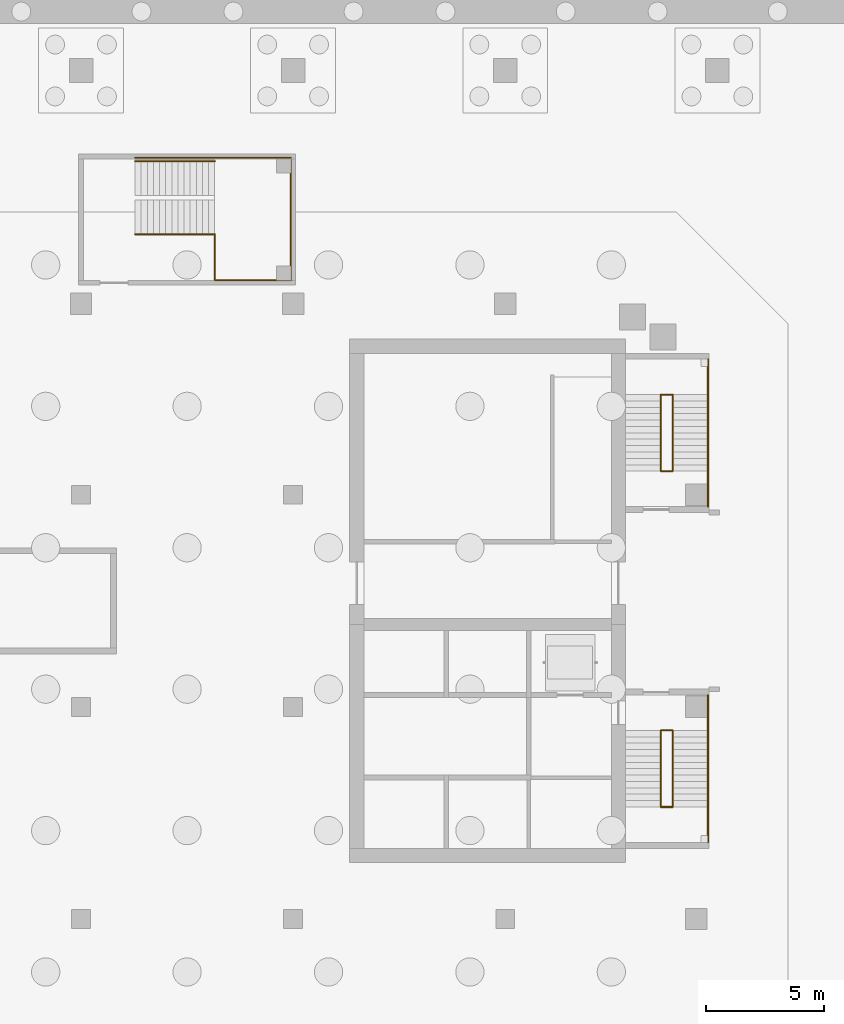
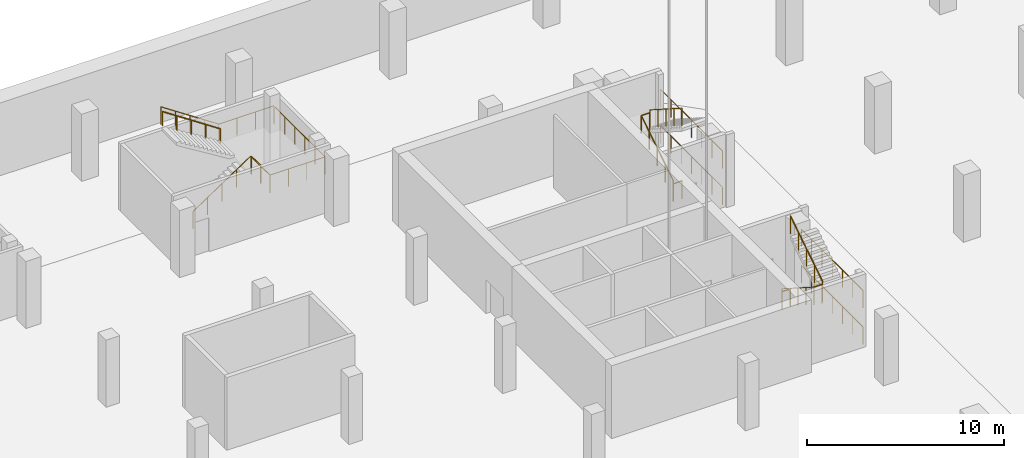
# One storey, part 26 of 30: 17 railings.
"""IFC4 building model written with IfcOpenShell, lengths in metres."""

from ifc_helpers import new_model, si_unit, direction, frame, origin, origin_2d, place, context, subcontext, project, spatial, circle, extrude, material, type_object, element, save


model = new_model("IFC4")

# Units and contexts
model_context = context("Model", 3, precision=1e-05, world=origin(), true_north=direction((0.0, 1.0)))
body_context = subcontext(model_context, "Body", "Model", "MODEL_VIEW")
ifc_project = project(units=[si_unit("LENGTHUNIT", "METRE"), si_unit("AREAUNIT", "SQUARE_METRE"), si_unit("VOLUMEUNIT", "CUBIC_METRE"), si_unit("PLANEANGLEUNIT", "RADIAN"), si_unit("MASSUNIT", "GRAM", prefix="KILO")], contexts=[model_context])

# Site, building, storey
site_placement = place(None, origin())
site = spatial("IfcSite", under=ifc_project, at=site_placement, CompositionType="ELEMENT")
building_placement = place(site_placement, origin())
building = spatial("IfcBuilding", under=site, at=building_placement, Name="Cinnabar Reach Civic Tower", CompositionType="ELEMENT")
storey_placement = place(building_placement, frame((0.0, 0.0, -14.0)))
storey = spatial("IfcBuildingStorey", under=building, at=storey_placement, Name="B3", CompositionType="ELEMENT", Elevation=-14.0)

# Railings
ifc_material_1 = material(Name="Stainless steel and glass", Category="steel")
railing_type_1 = type_object("IfcRailingType", Name="Podium guard 1100", PredefinedType="GUARDRAIL", material=ifc_material_1)
railing_1_placement = place(storey_placement, frame((-51.7, 47.05, 0.0)))
element("IfcRailing", 1, at=railing_1_placement, inside=storey, type_object=railing_type_1, Name="Stair guard PS7 B3", PredefinedType="GUARDRAIL", context=body_context, shape_type="SweptSolid", body=[
    extrude(circle(Radius=0.024, at=origin_2d()), frame((0.0, 0.0, 1.076), z_axis=(0.832428993721, 0.0, 0.554131726589), x_axis=(0.0, 1.0, 0.0)), (0.0, 0.0, 1.0), 4.0604),
    extrude(circle(Radius=0.021, at=origin_2d()), origin(), (0.0, 0.0, 1.0), 1.052),
    extrude(circle(Radius=0.021, at=origin_2d()), frame((0.845, 0.0, 0.5625)), (0.0, 0.0, 1.0), 1.052),
    extrude(circle(Radius=0.021, at=origin_2d()), frame((1.69, 0.0, 1.125)), (0.0, 0.0, 1.0), 1.052),
    extrude(circle(Radius=0.021, at=origin_2d()), frame((2.535, 0.0, 1.6875)), (0.0, 0.0, 1.0), 1.052),
    extrude(circle(Radius=0.021, at=origin_2d()), frame((3.38, 0.0, 2.25)), (0.0, 0.0, 1.0), 1.052),
])
railing_2_placement = place(storey_placement, frame((-48.32, 45.1, 2.25)))
element("IfcRailing", 2, at=railing_2_placement, inside=storey, type_object=railing_type_1, Name="Landing guard PS7 B3", PredefinedType="GUARDRAIL", context=body_context, shape_type="SweptSolid", body=[
    extrude(circle(Radius=0.024, at=origin_2d()), frame((0.0, 0.0, 1.076), z_axis=(1.0, 0.0, 0.0), x_axis=(0.0, 1.0, 0.0)), (0.0, 0.0, 1.0), 3.22),
    extrude(circle(Radius=0.024, at=origin_2d()), frame((3.22, 0.0, 1.076), z_axis=(0.0, 1.0, 0.0), x_axis=(-1.0, 0.0, 0.0)), (0.0, 0.0, 1.0), 5.1),
    extrude(circle(Radius=0.021, at=origin_2d()), origin(), (0.0, 0.0, 1.0), 1.052),
    extrude(circle(Radius=0.021, at=origin_2d()), frame((1.0733, 0.0, 0.0)), (0.0, 0.0, 1.0), 1.052),
    extrude(circle(Radius=0.021, at=origin_2d()), frame((2.1467, 0.0, 0.0)), (0.0, 0.0, 1.0), 1.052),
    extrude(circle(Radius=0.021, at=origin_2d()), frame((3.22, 0.0, 0.0)), (0.0, 0.0, 1.0), 1.052),
    extrude(circle(Radius=0.021, at=origin_2d()), frame((3.22, 1.02, 0.0)), (0.0, 0.0, 1.0), 1.052),
    extrude(circle(Radius=0.021, at=origin_2d()), frame((3.22, 2.04, 0.0)), (0.0, 0.0, 1.0), 1.052),
    extrude(circle(Radius=0.021, at=origin_2d()), frame((3.22, 3.06, 0.0)), (0.0, 0.0, 1.0), 1.052),
    extrude(circle(Radius=0.021, at=origin_2d()), frame((3.22, 4.08, 0.0)), (0.0, 0.0, 1.0), 1.052),
    extrude(circle(Radius=0.021, at=origin_2d()), frame((3.22, 5.1, 0.0)), (0.0, 0.0, 1.0), 1.052),
])
railing_3_placement = place(storey_placement, frame((-48.32, 45.1, 2.25)))
element("IfcRailing", 3, at=railing_3_placement, inside=storey, type_object=railing_type_1, Name="Landing guard PS7 B3 inner", PredefinedType="GUARDRAIL", context=body_context, shape_type="SweptSolid", body=[
    extrude(circle(Radius=0.024, at=origin_2d()), frame((0.0, 0.0, 1.076), z_axis=(0.0, 1.0, 0.0), x_axis=(-1.0, 0.0, 0.0)), (0.0, 0.0, 1.0), 1.9),
    extrude(circle(Radius=0.021, at=origin_2d()), origin(), (0.0, 0.0, 1.0), 1.052),
    extrude(circle(Radius=0.021, at=origin_2d()), frame((0.0, 0.95, 0.0)), (0.0, 0.0, 1.0), 1.052),
    extrude(circle(Radius=0.021, at=origin_2d()), frame((0.0, 1.9, 0.0)), (0.0, 0.0, 1.0), 1.052),
])
railing_4_placement = place(storey_placement, frame((-45.1, 50.3, 2.25)))
element("IfcRailing", 4, at=railing_4_placement, inside=storey, type_object=railing_type_1, Name="Stair wall side guard PS7 B3", PredefinedType="GUARDRAIL", context=body_context, shape_type="SweptSolid", body=[
    extrude(circle(Radius=0.024, at=origin_2d()), frame((0.0, 0.0, 1.076), z_axis=(-1.0, 0.0, 0.0), x_axis=(0.0, -1.0, 0.0)), (0.0, 0.0, 1.0), 3.22),
    extrude(circle(Radius=0.024, at=origin_2d()), frame((-3.22, 0.0, 1.076), z_axis=(-0.832428993721, 0.0, 0.554131726589), x_axis=(0.0, -1.0, 0.0)), (0.0, 0.0, 1.0), 4.0604),
    extrude(circle(Radius=0.021, at=origin_2d()), origin(), (0.0, 0.0, 1.0), 1.052),
    extrude(circle(Radius=0.021, at=origin_2d()), frame((-1.0733, 0.0, 0.0)), (0.0, 0.0, 1.0), 1.052),
    extrude(circle(Radius=0.021, at=origin_2d()), frame((-2.1467, 0.0, 0.0)), (0.0, 0.0, 1.0), 1.052),
    extrude(circle(Radius=0.021, at=origin_2d()), frame((-3.22, 0.0, 0.0)), (0.0, 0.0, 1.0), 1.052),
    extrude(circle(Radius=0.021, at=origin_2d()), frame((-4.065, 0.0, 0.5625)), (0.0, 0.0, 1.0), 1.052),
    extrude(circle(Radius=0.021, at=origin_2d()), frame((-4.91, 0.0, 1.125)), (0.0, 0.0, 1.0), 1.052),
    extrude(circle(Radius=0.021, at=origin_2d()), frame((-5.755, 0.0, 1.6875)), (0.0, 0.0, 1.0), 1.052),
    extrude(circle(Radius=0.021, at=origin_2d()), frame((-6.6, 0.0, 2.25)), (0.0, 0.0, 1.0), 1.052),
])
ifc_material_2 = material(Name="Stainless steel", Category="steel")
railing_type_2 = type_object("IfcRailingType", Name="Podium stair handrail 900", PredefinedType="HANDRAIL", material=ifc_material_2)
railing_5_placement = place(storey_placement, frame((-48.32, 50.15, 2.25)))
element("IfcRailing", 5, at=railing_5_placement, inside=storey, type_object=railing_type_2, Name="Stair handrail PS7 B3", PredefinedType="HANDRAIL", context=body_context, shape_type="SweptSolid", body=[
    extrude(circle(Radius=0.024, at=origin_2d()), frame((0.0, 0.0, 0.876), z_axis=(-0.832428993721, 0.0, 0.554131726589), x_axis=(0.0, -1.0, 0.0)), (0.0, 0.0, 1.0), 4.0604),
    extrude(circle(Radius=0.021, at=origin_2d()), origin(), (0.0, 0.0, 1.0), 0.852),
    extrude(circle(Radius=0.021, at=origin_2d()), frame((-0.845, 0.0, 0.5625)), (0.0, 0.0, 1.0), 0.852),
    extrude(circle(Radius=0.021, at=origin_2d()), frame((-1.69, 0.0, 1.125)), (0.0, 0.0, 1.0), 0.852),
    extrude(circle(Radius=0.021, at=origin_2d()), frame((-2.535, 0.0, 1.6875)), (0.0, 0.0, 1.0), 0.852),
    extrude(circle(Radius=0.021, at=origin_2d()), frame((-3.38, 0.0, 2.25)), (0.0, 0.0, 1.0), 0.852),
])
railing_type_3 = type_object("IfcRailingType", Name="T2 Stair guard 1100", PredefinedType="GUARDRAIL", material=ifc_material_2)
for number, where, name in (
    (6, (-27.4, 21.25, 0.0), "Stair guard 1"),
    (7, (-27.4, 21.25, 2.25), "Stair guard 1"),
):
    element("IfcRailing", number, at=place(storey_placement, frame(where)), inside=storey, type_object=railing_type_3, Name=name, PredefinedType="GUARDRAIL", context=body_context, shape_type="SweptSolid", body=[
        extrude(circle(Radius=0.024, at=origin_2d()), frame((0.0, 0.0, 1.076), z_axis=(0.0, 1.0, 0.0), x_axis=(-1.0, 0.0, 0.0)), (0.0, 0.0, 1.0), 6.25),
        extrude(circle(Radius=0.021, at=origin_2d()), origin(), (0.0, 0.0, 1.0), 1.052),
        extrude(circle(Radius=0.021, at=origin_2d()), frame((0.0, 1.0417, 0.0)), (0.0, 0.0, 1.0), 1.052),
        extrude(circle(Radius=0.021, at=origin_2d()), frame((0.0, 2.0833, 0.0)), (0.0, 0.0, 1.0), 1.052),
        extrude(circle(Radius=0.021, at=origin_2d()), frame((0.0, 3.125, 0.0)), (0.0, 0.0, 1.0), 1.052),
        extrude(circle(Radius=0.021, at=origin_2d()), frame((0.0, 4.1667, 0.0)), (0.0, 0.0, 1.0), 1.052),
        extrude(circle(Radius=0.021, at=origin_2d()), frame((0.0, 5.2083, 0.0)), (0.0, 0.0, 1.0), 1.052),
        extrude(circle(Radius=0.021, at=origin_2d()), frame((0.0, 6.25, 0.0)), (0.0, 0.0, 1.0), 1.052),
    ])
for number, where, name in (
    (8, (-29.4, 26.0, 0.0), "Stair guard 1"),
    (9, (-29.4, 22.75, 2.25), "Stair guard 1"),
):
    element("IfcRailing", number, at=place(storey_placement, frame(where)), inside=storey, type_object=railing_type_3, Name=name, PredefinedType="GUARDRAIL", context=body_context, shape_type="SweptSolid", body=[
        extrude(circle(Radius=0.024, at=origin_2d()), frame((0.0, 0.0, 1.076), z_axis=(1.0, 0.0, 0.0), x_axis=(0.0, 1.0, 0.0)), (0.0, 0.0, 1.0), 0.5),
        extrude(circle(Radius=0.021, at=origin_2d()), origin(), (0.0, 0.0, 1.0), 1.052),
        extrude(circle(Radius=0.021, at=origin_2d()), frame((0.5, 0.0, 0.0)), (0.0, 0.0, 1.0), 1.052),
    ])
railing_6_placement = place(storey_placement, frame((-29.4, 26.0, 0.1731)))
element("IfcRailing", 10, at=railing_6_placement, inside=storey, type_object=railing_type_3, Name="Stair guard 1", PredefinedType="GUARDRAIL", context=body_context, shape_type="SweptSolid", body=[
    extrude(circle(Radius=0.024, at=origin_2d()), frame((0.0, 0.0, 1.076), z_axis=(0.0, -0.842636131715, 0.538483379064), x_axis=(1.0, 0.0, 0.0)), (0.0, 0.0, 1.0), 3.8569),
    extrude(circle(Radius=0.021, at=origin_2d()), origin(), (0.0, 0.0, 1.0), 1.052),
    extrude(circle(Radius=0.021, at=origin_2d()), frame((0.0, -0.8125, 0.5192)), (0.0, 0.0, 1.0), 1.052),
    extrude(circle(Radius=0.021, at=origin_2d()), frame((0.0, -1.625, 1.0385)), (0.0, 0.0, 1.0), 1.052),
    extrude(circle(Radius=0.021, at=origin_2d()), frame((0.0, -2.4375, 1.5577)), (0.0, 0.0, 1.0), 1.052),
    extrude(circle(Radius=0.021, at=origin_2d()), frame((0.0, -3.25, 2.0769)), (0.0, 0.0, 1.0), 1.052),
])
railing_7_placement = place(storey_placement, frame((-28.9, 22.75, 2.4231)))
element("IfcRailing", 11, at=railing_7_placement, inside=storey, type_object=railing_type_3, Name="Stair guard 1", PredefinedType="GUARDRAIL", context=body_context, shape_type="SweptSolid", body=[
    extrude(circle(Radius=0.024, at=origin_2d()), frame((0.0, 0.0, 1.076), z_axis=(0.0, 0.842636131715, 0.538483379064), x_axis=(-1.0, 0.0, 0.0)), (0.0, 0.0, 1.0), 3.8569),
    extrude(circle(Radius=0.021, at=origin_2d()), origin(), (0.0, 0.0, 1.0), 1.052),
    extrude(circle(Radius=0.021, at=origin_2d()), frame((0.0, 0.8125, 0.5192)), (0.0, 0.0, 1.0), 1.052),
    extrude(circle(Radius=0.021, at=origin_2d()), frame((0.0, 1.625, 1.0385)), (0.0, 0.0, 1.0), 1.052),
    extrude(circle(Radius=0.021, at=origin_2d()), frame((0.0, 2.4375, 1.5577)), (0.0, 0.0, 1.0), 1.052),
    extrude(circle(Radius=0.021, at=origin_2d()), frame((0.0, 3.25, 2.0769)), (0.0, 0.0, 1.0), 1.052),
])
for number, where, name in (
    (12, (-27.4, 35.5, 0.0), "Stair guard 2"),
    (13, (-27.4, 35.5, 2.25), "Stair guard 2"),
):
    element("IfcRailing", number, at=place(storey_placement, frame(where)), inside=storey, type_object=railing_type_3, Name=name, PredefinedType="GUARDRAIL", context=body_context, shape_type="SweptSolid", body=[
        extrude(circle(Radius=0.024, at=origin_2d()), frame((0.0, 0.0, 1.076), z_axis=(0.0, 1.0, 0.0), x_axis=(-1.0, 0.0, 0.0)), (0.0, 0.0, 1.0), 6.25),
        extrude(circle(Radius=0.021, at=origin_2d()), origin(), (0.0, 0.0, 1.0), 1.052),
        extrude(circle(Radius=0.021, at=origin_2d()), frame((0.0, 1.0417, 0.0)), (0.0, 0.0, 1.0), 1.052),
        extrude(circle(Radius=0.021, at=origin_2d()), frame((0.0, 2.0833, 0.0)), (0.0, 0.0, 1.0), 1.052),
        extrude(circle(Radius=0.021, at=origin_2d()), frame((0.0, 3.125, 0.0)), (0.0, 0.0, 1.0), 1.052),
        extrude(circle(Radius=0.021, at=origin_2d()), frame((0.0, 4.1667, 0.0)), (0.0, 0.0, 1.0), 1.052),
        extrude(circle(Radius=0.021, at=origin_2d()), frame((0.0, 5.2083, 0.0)), (0.0, 0.0, 1.0), 1.052),
        extrude(circle(Radius=0.021, at=origin_2d()), frame((0.0, 6.25, 0.0)), (0.0, 0.0, 1.0), 1.052),
    ])
for number, where, name in (
    (14, (-29.4, 37.0, 0.0), "Stair guard 2"),
    (15, (-29.4, 40.25, 2.25), "Stair guard 2"),
):
    element("IfcRailing", number, at=place(storey_placement, frame(where)), inside=storey, type_object=railing_type_3, Name=name, PredefinedType="GUARDRAIL", context=body_context, shape_type="SweptSolid", body=[
        extrude(circle(Radius=0.024, at=origin_2d()), frame((0.0, 0.0, 1.076), z_axis=(1.0, 0.0, 0.0), x_axis=(0.0, 1.0, 0.0)), (0.0, 0.0, 1.0), 0.5),
        extrude(circle(Radius=0.021, at=origin_2d()), origin(), (0.0, 0.0, 1.0), 1.052),
        extrude(circle(Radius=0.021, at=origin_2d()), frame((0.5, 0.0, 0.0)), (0.0, 0.0, 1.0), 1.052),
    ])
railing_8_placement = place(storey_placement, frame((-29.4, 37.0, 0.1731)))
element("IfcRailing", 16, at=railing_8_placement, inside=storey, type_object=railing_type_3, Name="Stair guard 2", PredefinedType="GUARDRAIL", context=body_context, shape_type="SweptSolid", body=[
    extrude(circle(Radius=0.024, at=origin_2d()), frame((0.0, 0.0, 1.076), z_axis=(0.0, 0.842636131715, 0.538483379064), x_axis=(-1.0, 0.0, 0.0)), (0.0, 0.0, 1.0), 3.8569),
    extrude(circle(Radius=0.021, at=origin_2d()), origin(), (0.0, 0.0, 1.0), 1.052),
    extrude(circle(Radius=0.021, at=origin_2d()), frame((0.0, 0.8125, 0.5192)), (0.0, 0.0, 1.0), 1.052),
    extrude(circle(Radius=0.021, at=origin_2d()), frame((0.0, 1.625, 1.0385)), (0.0, 0.0, 1.0), 1.052),
    extrude(circle(Radius=0.021, at=origin_2d()), frame((0.0, 2.4375, 1.5577)), (0.0, 0.0, 1.0), 1.052),
    extrude(circle(Radius=0.021, at=origin_2d()), frame((0.0, 3.25, 2.0769)), (0.0, 0.0, 1.0), 1.052),
])
railing_9_placement = place(storey_placement, frame((-28.9, 40.25, 2.4231)))
element("IfcRailing", 17, at=railing_9_placement, inside=storey, type_object=railing_type_3, Name="Stair guard 2", PredefinedType="GUARDRAIL", context=body_context, shape_type="SweptSolid", body=[
    extrude(circle(Radius=0.024, at=origin_2d()), frame((0.0, 0.0, 1.076), z_axis=(0.0, -0.842636131715, 0.538483379064), x_axis=(1.0, 0.0, 0.0)), (0.0, 0.0, 1.0), 3.8569),
    extrude(circle(Radius=0.021, at=origin_2d()), origin(), (0.0, 0.0, 1.0), 1.052),
    extrude(circle(Radius=0.021, at=origin_2d()), frame((0.0, -0.8125, 0.5192)), (0.0, 0.0, 1.0), 1.052),
    extrude(circle(Radius=0.021, at=origin_2d()), frame((0.0, -1.625, 1.0385)), (0.0, 0.0, 1.0), 1.052),
    extrude(circle(Radius=0.021, at=origin_2d()), frame((0.0, -2.4375, 1.5577)), (0.0, 0.0, 1.0), 1.052),
    extrude(circle(Radius=0.021, at=origin_2d()), frame((0.0, -3.25, 2.0769)), (0.0, 0.0, 1.0), 1.052),
])

save(model, "model.ifc")
